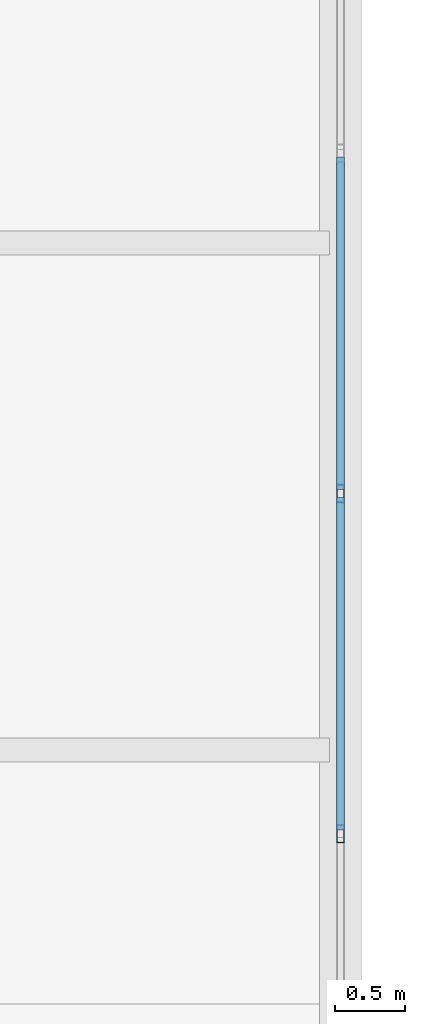
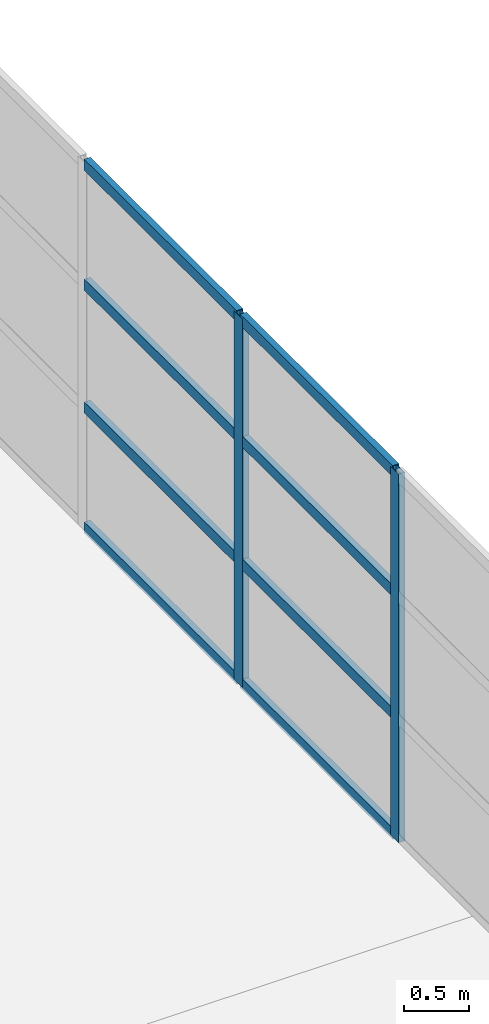
# One storey, part 88 of 158: 10 members, 1 element without a shape of its own.
"""IFC4 building model written with IfcOpenShell, lengths in metres."""

from ifc_helpers import new_model, si_unit, direction, frame, origin, origin_2d, place, context, subcontext, project, spatial, hollow_rectangle, extrude, material, layer, layer_set, material_profile, profile_set, type_object, element, aggregate, save


model = new_model("IFC4")

# Units and contexts
model_context = context("Model", 3, precision=1e-05, world=origin(), true_north=direction((0.0, 1.0)))
body_context = subcontext(model_context, "Body", "Model", "MODEL_VIEW")
ifc_project = project(units=[si_unit("LENGTHUNIT", "METRE"), si_unit("AREAUNIT", "SQUARE_METRE"), si_unit("VOLUMEUNIT", "CUBIC_METRE"), si_unit("PLANEANGLEUNIT", "RADIAN"), si_unit("MASSUNIT", "GRAM", prefix="KILO")], contexts=[model_context])

# Site, building, storey
site_placement = place(None, origin())
site = spatial("IfcSite", under=ifc_project, at=site_placement, CompositionType="ELEMENT")
building_placement = place(site_placement, origin())
building = spatial("IfcBuilding", under=site, at=building_placement, Name="Zilviju Railside Exhibition Hall", CompositionType="ELEMENT")
storey_placement = place(building_placement, frame((0.0, 0.0, 4.199951171875)))
storey = spatial("IfcBuildingStorey", under=building, at=storey_placement, Name="L02", CompositionType="ELEMENT", Elevation=4.199951171875)

# Curtain wall, members
ifc_material_1 = material(Name="Thermally broken aluminium-steel triple-glazed curtain wall", Category="steel")
ifc_layer = layer(ifc_material_1, 0.179931640625)
ifc_layer_set = layer_set([ifc_layer], Name="Thermally broken aluminium-steel triple-glazed curtain wall")
curtain_wall_type = type_object("IfcCurtainWallType", Name="CW-BAY-10", PredefinedType="USERDEFINED", material=ifc_layer_set)
curtain_wall_placement = place(storey_placement, origin())
curtain_wall = element("IfcCurtainWall", 1, at=curtain_wall_placement, inside=storey, type_object=curtain_wall_type, Name="South Hall East Glazed Gable L02 (18..36)", ObjectType="GLAZED CURTAIN WALL", PredefinedType="USERDEFINED")
ifc_material_2 = material(Name="Thermally broken anodized aluminium mullion", Category="aluminium")
ifc_material_profile_1 = material_profile(ifc_material_2, hollow_rectangle(XDim=0.054931640625, YDim=0.1298828125, WallThickness=0.0048828125, at=origin_2d()), Name="MULLION 130x55x5")
ifc_profile_set_1 = profile_set([ifc_material_profile_1], Name="Thermally broken anodized aluminium mullion")
member_type_1 = type_object("IfcMemberType", Name="CWM-55x130", PredefinedType="MULLION", material=ifc_profile_set_1)
member_1_placement = place(storey_placement, frame((216.0, 30.621337890625, 0.0), z_axis=(0.0, 0.0, 1.0), x_axis=(1.0, 0.0, 0.0)))
member_1 = element("IfcMember", 2, at=member_1_placement, type_object=member_type_1, Name="CW-10 mullion 3", PredefinedType="MULLION", context=body_context, shape_type="SweptSolid", body=[
    extrude(hollow_rectangle(XDim=0.054931640625, YDim=0.1298828125, WallThickness=0.0048828125, at=origin_2d()), origin(), (0.0, 0.0, 1.0), 3.47998046875),
])
member_2_placement = place(storey_placement, frame((216.0, 28.20703125, 0.0), z_axis=(0.0, 0.0, 1.0), x_axis=(1.0, 0.0, 0.0)))
member_2 = element("IfcMember", 3, at=member_2_placement, type_object=member_type_1, Name="CW-10 mullion 4", PredefinedType="MULLION", context=body_context, shape_type="SweptSolid", body=[
    extrude(hollow_rectangle(XDim=0.054931640625, YDim=0.1298828125, WallThickness=0.0048828125, at=origin_2d()), origin(), (0.0, 0.0, 1.0), 3.47998046875),
])
ifc_material_3 = material(Name="Thermally broken anodized aluminium transom", Category="aluminium")
ifc_material_profile_2 = material_profile(ifc_material_3, hollow_rectangle(XDim=0.054931640625, YDim=0.10498046875, WallThickness=0.0048828125, at=origin_2d()), Name="TRANSOM 105x55x5")
ifc_profile_set_2 = profile_set([ifc_material_profile_2], Name="Thermally broken anodized aluminium transom")
member_type_2 = type_object("IfcMemberType", Name="CWT-55x105", PredefinedType="USERDEFINED", material=ifc_profile_set_2)
member_3_placement = place(storey_placement, frame((216.0, 33.00830078125, 0.027587890625), z_axis=(0.0, -1.0, 0.0), x_axis=(1.0, 0.0, 0.0)))
member_3 = element("IfcMember", 4, at=member_3_placement, type_object=member_type_2, Name="CW-10 transom 2.1", ObjectType="TRANSOM", PredefinedType="USERDEFINED", context=body_context, shape_type="SweptSolid", body=[
    extrude(hollow_rectangle(XDim=0.054931640625, YDim=0.10498046875, WallThickness=0.0048828125, at=origin_2d()), origin(), (0.0, 0.0, 1.0), 2.359375),
])
member_4_placement = place(storey_placement, frame((216.0, 33.00830078125, 1.16015625), z_axis=(0.0, -1.0, 0.0), x_axis=(1.0, 0.0, 0.0)))
member_4 = element("IfcMember", 5, at=member_4_placement, type_object=member_type_2, Name="CW-10 transom 2.2", ObjectType="TRANSOM", PredefinedType="USERDEFINED", context=body_context, shape_type="SweptSolid", body=[
    extrude(hollow_rectangle(XDim=0.054931640625, YDim=0.10498046875, WallThickness=0.0048828125, at=origin_2d()), origin(), (0.0, 0.0, 1.0), 2.359375),
])
member_5_placement = place(storey_placement, frame((216.0, 33.00830078125, 2.320068359375), z_axis=(0.0, -1.0, 0.0), x_axis=(1.0, 0.0, 0.0)))
member_5 = element("IfcMember", 6, at=member_5_placement, type_object=member_type_2, Name="CW-10 transom 2.3", ObjectType="TRANSOM", PredefinedType="USERDEFINED", context=body_context, shape_type="SweptSolid", body=[
    extrude(hollow_rectangle(XDim=0.054931640625, YDim=0.10498046875, WallThickness=0.0048828125, at=origin_2d()), origin(), (0.0, 0.0, 1.0), 2.359375),
])
member_6_placement = place(storey_placement, frame((216.0, 33.00830078125, 3.45263671875), z_axis=(0.0, -1.0, 0.0), x_axis=(1.0, 0.0, 0.0)))
member_6 = element("IfcMember", 7, at=member_6_placement, type_object=member_type_2, Name="CW-10 transom 2.4", ObjectType="TRANSOM", PredefinedType="USERDEFINED", context=body_context, shape_type="SweptSolid", body=[
    extrude(hollow_rectangle(XDim=0.054931640625, YDim=0.10498046875, WallThickness=0.0048828125, at=origin_2d()), origin(), (0.0, 0.0, 1.0), 2.359375),
])
member_7_placement = place(storey_placement, frame((216.0, 30.593994140625, 0.027587890625), z_axis=(0.0, -1.0, 0.0), x_axis=(1.0, 0.0, 0.0)))
member_7 = element("IfcMember", 8, at=member_7_placement, type_object=member_type_2, Name="CW-10 transom 3.1", ObjectType="TRANSOM", PredefinedType="USERDEFINED", context=body_context, shape_type="SweptSolid", body=[
    extrude(hollow_rectangle(XDim=0.054931640625, YDim=0.10498046875, WallThickness=0.0048828125, at=origin_2d()), origin(), (0.0, 0.0, 1.0), 2.359375),
])
member_8_placement = place(storey_placement, frame((216.0, 30.593994140625, 1.16015625), z_axis=(0.0, -1.0, 0.0), x_axis=(1.0, 0.0, 0.0)))
member_8 = element("IfcMember", 9, at=member_8_placement, type_object=member_type_2, Name="CW-10 transom 3.2", ObjectType="TRANSOM", PredefinedType="USERDEFINED", context=body_context, shape_type="SweptSolid", body=[
    extrude(hollow_rectangle(XDim=0.054931640625, YDim=0.10498046875, WallThickness=0.0048828125, at=origin_2d()), origin(), (0.0, 0.0, 1.0), 2.359375),
])
member_9_placement = place(storey_placement, frame((216.0, 30.593994140625, 2.320068359375), z_axis=(0.0, -1.0, 0.0), x_axis=(1.0, 0.0, 0.0)))
member_9 = element("IfcMember", 10, at=member_9_placement, type_object=member_type_2, Name="CW-10 transom 3.3", ObjectType="TRANSOM", PredefinedType="USERDEFINED", context=body_context, shape_type="SweptSolid", body=[
    extrude(hollow_rectangle(XDim=0.054931640625, YDim=0.10498046875, WallThickness=0.0048828125, at=origin_2d()), origin(), (0.0, 0.0, 1.0), 2.359375),
])
member_10_placement = place(storey_placement, frame((216.0, 30.593994140625, 3.45263671875), z_axis=(0.0, -1.0, 0.0), x_axis=(1.0, 0.0, 0.0)))
member_10 = element("IfcMember", 11, at=member_10_placement, type_object=member_type_2, Name="CW-10 transom 3.4", ObjectType="TRANSOM", PredefinedType="USERDEFINED", context=body_context, shape_type="SweptSolid", body=[
    extrude(hollow_rectangle(XDim=0.054931640625, YDim=0.10498046875, WallThickness=0.0048828125, at=origin_2d()), origin(), (0.0, 0.0, 1.0), 2.359375),
])
aggregate(curtain_wall, [member_1, member_2, member_3, member_4, member_5, member_6, member_7, member_8, member_9, member_10])

save(model, "model.ifc")
